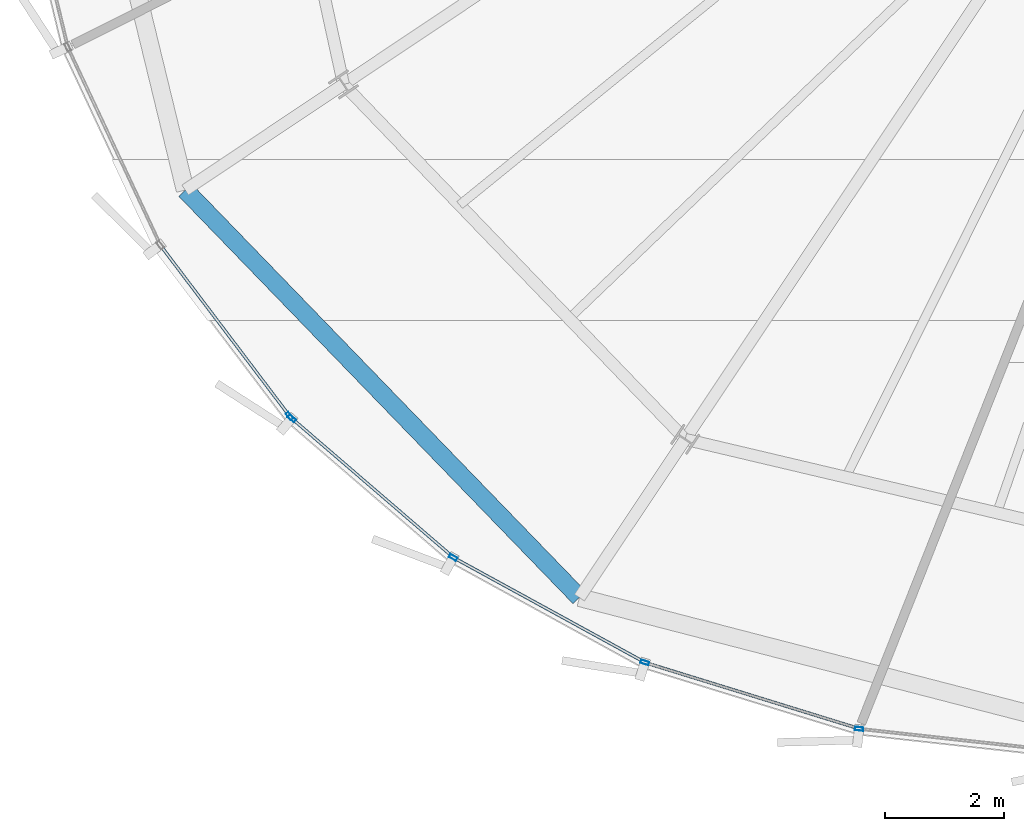
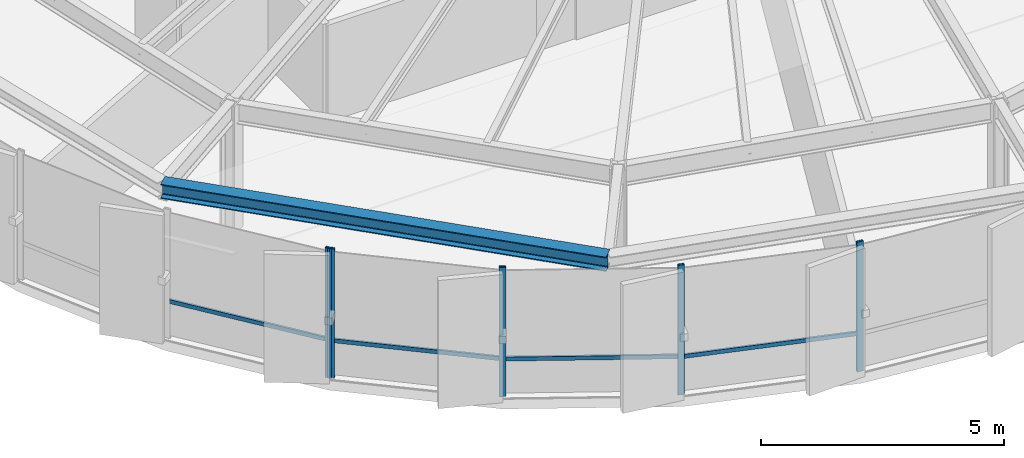
# One storey, part 2 of 34: 9 members, 1 beam, 2 elements without a shape of their own.
"""IFC4 building model written with IfcOpenShell, lengths in metres."""

from ifc_helpers import new_model, si_unit, direction, frame, origin, origin_2d, place, context, subcontext, project, spatial, hollow_rectangle, i_section, extrude, source, transform, mapped, material, layer, layer_set, material_profile, profile_set, type_object, element, aggregate, save


model = new_model("IFC4")

# Units and contexts
model_context = context("Model", 3, precision=1e-05, world=origin(), true_north=direction((0.0, 1.0)))
body_context = subcontext(model_context, "Body", "Model", "MODEL_VIEW")
ifc_project = project(units=[si_unit("LENGTHUNIT", "METRE"), si_unit("AREAUNIT", "SQUARE_METRE"), si_unit("VOLUMEUNIT", "CUBIC_METRE"), si_unit("PLANEANGLEUNIT", "RADIAN"), si_unit("MASSUNIT", "GRAM", prefix="KILO"), si_unit("THERMODYNAMICTEMPERATUREUNIT", "KELVIN")], contexts=[model_context])

# Site, building, storey
site_placement = place(None, origin())
site = spatial("IfcSite", under=ifc_project, at=site_placement, CompositionType="ELEMENT")
building_placement = place(site_placement, origin())
building = spatial("IfcBuilding", under=site, at=building_placement, Name="Kethvar Cultural Tower", CompositionType="ELEMENT")
storey_placement = place(building_placement, frame((0.0, 0.0, 207.89990234375)))
storey = spatial("IfcBuildingStorey", under=building, at=storey_placement, Name="L54", CompositionType="ELEMENT", Elevation=207.89990234375)

# Beam
ifc_material_1 = material(Name="Steel S355J2", Category="steel")
ifc_material_profile_1 = material_profile(ifc_material_1, i_section(OverallWidth=0.300048828125, OverallDepth=0.360107421875, WebThickness=0.012451171875, FlangeThickness=0.0224609375, FilletRadius=0.027099609375, at=origin_2d()), Name="Steel S355J2 — HEB360")
ifc_profile_set_1 = profile_set([ifc_material_profile_1], Name="Steel S355J2 — HEB360")
beam_type = type_object("IfcBeamType", Name="BM-SP360", PredefinedType="SPANDREL", material=ifc_profile_set_1)
shared_shape_1 = source(origin(), body_context, "Body", "SweptSolid", [
    extrude(i_section(OverallWidth=0.300048828125, OverallDepth=0.360107421875, WebThickness=0.012451171875, FlangeThickness=0.0224609375, FilletRadius=0.027099609375, at=origin_2d()), origin(), (0.0, 0.0, 1.0), 9.531982421875),
])
beam_placement = place(storey_placement, frame((26.556884765625, 14.27392578125, 3.078125), z_axis=(0.695343772208, -0.71867728394, 0.0), x_axis=(0.71867728394, 0.695343772208, 0.0)))
element("IfcBeam", 1, at=beam_placement, inside=storey, type_object=beam_type, Name="L54 Perimeter Spandrel Beam SP-10", PredefinedType="SPANDREL", context=body_context, shape_type="MappedRepresentation", body=[
    mapped(shared_shape_1, transform((0.0, 0.0, 0.0), scale=1.0)),
])

# Curtain wall, member
ifc_material_2 = material(Name="Aluminium 6063-T6", Category="aluminium")
ifc_layer = layer(ifc_material_2, 0.179931640625, Name="Aluminium 6063-T6", Category="aluminium")
ifc_layer_set = layer_set([ifc_layer], Name="Aluminium 6063-T6 (180 mm)")
curtain_wall_type = type_object("IfcCurtainWallType", Name="CW-SYS-04-Z34", PredefinedType="NOTDEFINED", material=ifc_layer_set)
curtain_wall_1_placement = place(storey_placement, origin())
curtain_wall_1 = element("IfcCurtainWall", 2, at=curtain_wall_1_placement, inside=storey, type_object=curtain_wall_type, Name="L54 Curtain Wall Run 03", PredefinedType="NOTDEFINED")
ifc_material_profile_2 = material_profile(ifc_material_2, hollow_rectangle(XDim=0.06005859375, YDim=0.139892578125, WallThickness=0.0048828125, at=origin_2d()), Name="Aluminium 6063-T6 — RHS140x60x5")
ifc_profile_set_2 = profile_set([ifc_material_profile_2], Name="Aluminium 6063-T6 — RHS140x60x5")
member_type_1 = type_object("IfcMemberType", Name="CW-SYS-04-Z34-MUL", PredefinedType="MULLION", material=ifc_profile_set_2)
shared_shape_2 = source(origin(), body_context, "Body", "SweptSolid", [
    extrude(hollow_rectangle(XDim=0.06005859375, YDim=0.139892578125, WallThickness=0.0048828125, at=origin_2d()), origin(), (0.0, 0.0, 1.0), 3.260009765625),
])
member_1_placement = place(storey_placement, frame((28.3115234375, 10.475341796875, 0.0), z_axis=(0.0, 0.0, 1.0), x_axis=(0.797499697327, 0.60331934559, 0.0)))
member_1 = element("IfcMember", 3, at=member_1_placement, type_object=member_type_1, Name="CW-L54-R03 Mullion 7", PredefinedType="MULLION", context=body_context, shape_type="MappedRepresentation", body=[
    mapped(shared_shape_2, transform((0.0, 0.0, 0.0), scale=1.0)),
])

# Curtain wall, members
curtain_wall_2_placement = place(storey_placement, origin())
curtain_wall_2 = element("IfcCurtainWall", 4, at=curtain_wall_2_placement, inside=storey, type_object=curtain_wall_type, Name="L54 Curtain Wall Run 04", PredefinedType="NOTDEFINED")
member_2_placement = place(storey_placement, frame((28.3486328125, 10.435791015625, 0.0), z_axis=(0.0, 0.0, 1.0), x_axis=(0.652204252996, 0.758043278694, 0.0)))
member_2 = element("IfcMember", 5, at=member_2_placement, type_object=member_type_1, Name="CW-L54-R04 Mullion 1", PredefinedType="MULLION", context=body_context, shape_type="MappedRepresentation", body=[
    mapped(shared_shape_2, transform((0.0, 0.0, 0.0), scale=1.0)),
])
member_3_placement = place(storey_placement, frame((31.06201171875, 8.09814453125, 0.0), z_axis=(0.0, 0.0, 1.0), x_axis=(0.480223497443, 0.877146163706, 0.0)))
member_3 = element("IfcMember", 6, at=member_3_placement, type_object=member_type_1, Name="CW-L54-R04 Mullion 2", PredefinedType="MULLION", context=body_context, shape_type="MappedRepresentation", body=[
    mapped(shared_shape_2, transform((0.0, 0.0, 0.0), scale=1.0)),
])
member_4_placement = place(storey_placement, frame((34.283447265625, 6.331787109375, 0.0), z_axis=(0.0, 0.0, 1.0), x_axis=(0.295157800188, 0.955448519277, 0.0)))
member_4 = element("IfcMember", 7, at=member_4_placement, type_object=member_type_1, Name="CW-L54-R04 Mullion 3", PredefinedType="MULLION", context=body_context, shape_type="MappedRepresentation", body=[
    mapped(shared_shape_2, transform((0.0, 0.0, 0.0), scale=1.0)),
])
member_5_placement = place(storey_placement, frame((37.885986328125, 5.216796875, 0.0), z_axis=(0.0, 0.0, 1.0), x_axis=(0.109699615242, 0.9939647853, 0.0)))
member_5 = element("IfcMember", 8, at=member_5_placement, type_object=member_type_1, Name="CW-L54-R04 Mullion 4", PredefinedType="MULLION", context=body_context, shape_type="MappedRepresentation", body=[
    mapped(shared_shape_2, transform((0.0, 0.0, 0.0), scale=1.0)),
])

# Member
ifc_material_profile_3 = material_profile(ifc_material_2, hollow_rectangle(XDim=0.050048828125, YDim=0.10009765625, WallThickness=0.00390625, at=origin_2d()), Name="Aluminium 6063-T6 — RHS100x50x4")
ifc_profile_set_3 = profile_set([ifc_material_profile_3], Name="Aluminium 6063-T6 — RHS100x50x4")
member_type_2 = type_object("IfcMemberType", Name="CW-SYS-04-Z34-TRN", PredefinedType="USERDEFINED", material=ifc_profile_set_3)
shared_shape_3 = source(origin(), body_context, "Body", "SweptSolid", [
    extrude(hollow_rectangle(XDim=0.050048828125, YDim=0.10009765625, WallThickness=0.00390625, at=origin_2d()), origin(), (0.0, 0.0, 1.0), 3.556884765625),
])
member_6_placement = place(storey_placement, frame((26.1630859375, 13.3154296875, 0.9501953125), z_axis=(0.603322348697, -0.797497425427, 0.0), x_axis=(0.797497425427, 0.603322348697, 0.0)))
member_6 = element("IfcMember", 9, at=member_6_placement, type_object=member_type_2, Name="CW-L54-R03 Transom 6", ObjectType="TRANSOM", PredefinedType="USERDEFINED", context=body_context, shape_type="MappedRepresentation", body=[
    mapped(shared_shape_3, transform((0.0, 0.0, 0.0), scale=1.0)),
])

aggregate(curtain_wall_1, [member_1, member_6])

shared_shape_4 = source(origin(), body_context, "Body", "SweptSolid", [
    extrude(hollow_rectangle(XDim=0.050048828125, YDim=0.10009765625, WallThickness=0.00390625, at=origin_2d()), origin(), (0.0, 0.0, 1.0), 3.609375),
])
member_7_placement = place(storey_placement, frame((31.10009765625, 8.077392578125, 0.9501953125), z_axis=(0.877124084579, -0.480263823592, 0.0), x_axis=(0.480263823592, 0.877124084579, 0.0)))
member_7 = element("IfcMember", 10, at=member_7_placement, type_object=member_type_2, Name="CW-L54-R04 Transom 2", ObjectType="TRANSOM", PredefinedType="USERDEFINED", context=body_context, shape_type="MappedRepresentation", body=[
    mapped(shared_shape_4, transform((0.0, 0.0, 0.0), scale=1.0)),
])

shared_shape_5 = source(origin(), body_context, "Body", "SweptSolid", [
    extrude(hollow_rectangle(XDim=0.050048828125, YDim=0.10009765625, WallThickness=0.00390625, at=origin_2d()), origin(), (0.0, 0.0, 1.0), 3.70556640625),
])
member_8_placement = place(storey_placement, frame((34.32470703125, 6.319091796875, 0.9501953125), z_axis=(0.955466495819, -0.295099602453, 0.0), x_axis=(0.295099602453, 0.955466495819, 0.0)))
member_8 = element("IfcMember", 11, at=member_8_placement, type_object=member_type_2, Name="CW-L54-R04 Transom 3", ObjectType="TRANSOM", PredefinedType="USERDEFINED", context=body_context, shape_type="MappedRepresentation", body=[
    mapped(shared_shape_5, transform((0.0, 0.0, 0.0), scale=1.0)),
])

shared_shape_6 = source(origin(), body_context, "Body", "SweptSolid", [
    extrude(hollow_rectangle(XDim=0.050048828125, YDim=0.10009765625, WallThickness=0.00390625, at=origin_2d()), origin(), (0.0, 0.0, 1.0), 3.55712890625),
])
member_9_placement = place(storey_placement, frame((28.351806640625, 10.43310546875, 0.9501953125), z_axis=(0.758073213393, -0.65216945891, 0.0), x_axis=(0.65216945891, 0.758073213393, 0.0)))
member_9 = element("IfcMember", 12, at=member_9_placement, type_object=member_type_2, Name="CW-L54-R04 Transom 1", ObjectType="TRANSOM", PredefinedType="USERDEFINED", context=body_context, shape_type="MappedRepresentation", body=[
    mapped(shared_shape_6, transform((0.0, 0.0, 0.0), scale=1.0)),
])

aggregate(curtain_wall_2, [member_2, member_3, member_4, member_5, member_9, member_7, member_8])

save(model, "model.ifc")
